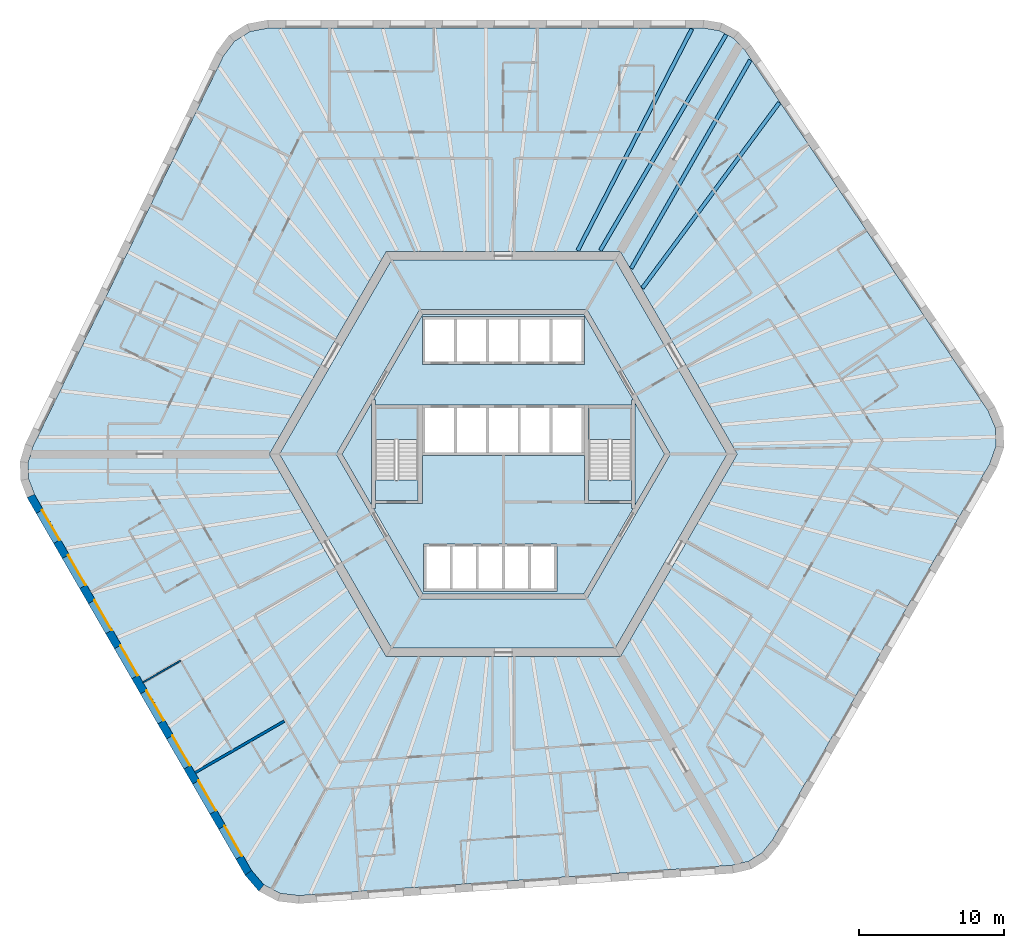
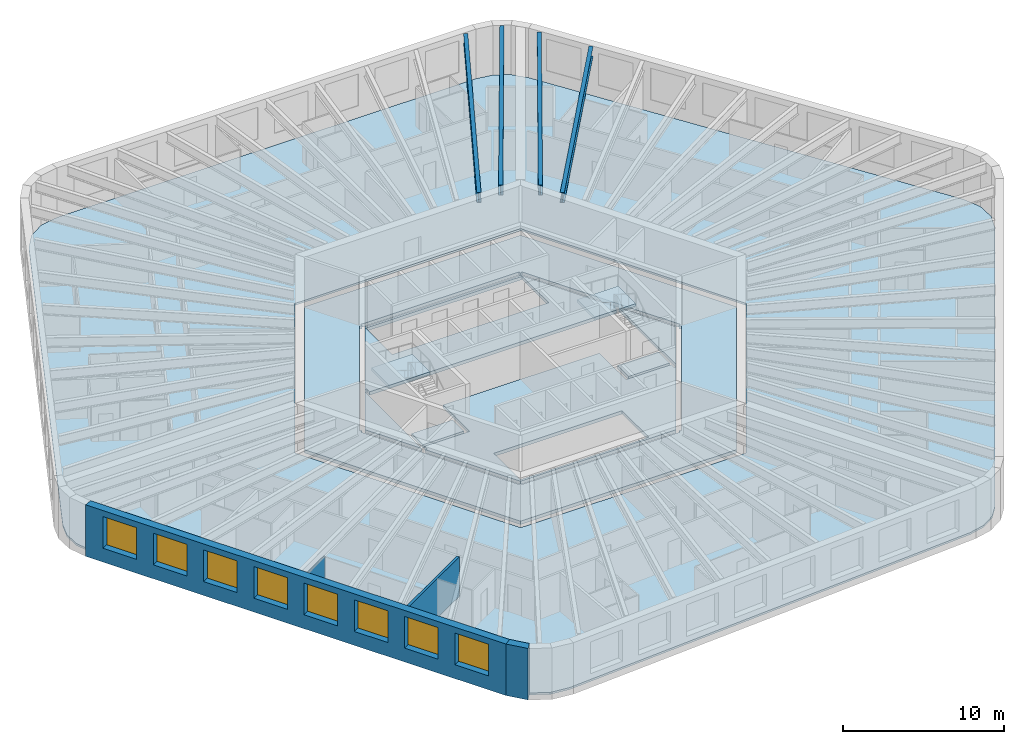
# One storey, part 2 of 12: 10 slabs, 8 windows, 4 beams, 4 walls, 8 openings, 2 elements without a shape of their own.
"""IFC4 building model written with IfcOpenShell, lengths in metres."""

from ifc_helpers import new_model, si_unit, direction, frame, frame_2d, origin, origin_2d, place, context, subcontext, project, spatial, polyline, rectangle, i_section, outline, extrude, material, layer, layer_set, material_profile, profile_set, type_object, element, fill, aggregate, save


model = new_model("IFC4")

# Units and contexts
model_context = context("Model", 3, precision=1e-05, world=origin(), true_north=direction((0.0, 1.0)))
body_context = subcontext(model_context, "Body", "Model", "MODEL_VIEW")
ifc_project = project(units=[si_unit("LENGTHUNIT", "METRE"), si_unit("AREAUNIT", "SQUARE_METRE"), si_unit("VOLUMEUNIT", "CUBIC_METRE"), si_unit("PLANEANGLEUNIT", "RADIAN"), si_unit("MASSUNIT", "GRAM", prefix="KILO")], contexts=[model_context])

# Site, building, storey
site_placement = place(None, origin())
site = spatial("IfcSite", under=ifc_project, at=site_placement, CompositionType="ELEMENT")
building_placement = place(site_placement, origin())
building = spatial("IfcBuilding", under=site, at=building_placement, Name="Tarnside Tower", CompositionType="ELEMENT")
storey_placement = place(building_placement, frame((0.0, 0.0, 96.0)))
storey = spatial("IfcBuildingStorey", under=building, at=storey_placement, Name="L21", CompositionType="ELEMENT", Elevation=96.0)

# Beams
ifc_material_1 = material(Name="Steel S355", Category="steel")
ifc_material_profile = material_profile(ifc_material_1, i_section(OverallWidth=0.2666015625, OverallDepth=0.76220703125, WebThickness=0.014404296875, FlangeThickness=0.021484375, FilletRadius=0.0166015625, at=origin_2d()), Name="UB 762x267x173")
ifc_profile_set = profile_set([ifc_material_profile], Name="Steel S355")
beam_type = type_object("IfcBeamType", Name="Floor beam UB 762x267x173", PredefinedType="BEAM", material=ifc_profile_set)
beam_1_placement = place(storey_placement, frame((13.0283203125, 29.37890625, 3.368896484375), z_axis=(-0.457973226459, -0.888965985765, 0.0), x_axis=(0.888965985765, -0.457973226459, 0.0)))
element("IfcBeam", 1, at=beam_1_placement, inside=storey, type_object=beam_type, Name="Floor beam F1.01", PredefinedType="BEAM", context=body_context, shape_type="SweptSolid", body=[
    extrude(i_section(OverallWidth=0.2666015625, OverallDepth=0.76220703125, WebThickness=0.014404296875, FlangeThickness=0.021484375, FilletRadius=0.0166015625, at=origin_2d()), origin(), (0.0, 0.0, 1.0), 17.219970703125),
])
beam_2_placement = place(storey_placement, frame((19.072021484375, 24.28857421875, 3.368896484375), z_axis=(-0.593986893499, -0.804474717037, 0.0), x_axis=(0.804474717037, -0.593986893499, 0.0)))
element("IfcBeam", 2, at=beam_2_placement, inside=storey, type_object=beam_type, Name="Floor beam F6.08", PredefinedType="BEAM", context=body_context, shape_type="SweptSolid", body=[
    extrude(i_section(OverallWidth=0.2666015625, OverallDepth=0.76220703125, WebThickness=0.014404296875, FlangeThickness=0.021484375, FilletRadius=0.0166015625, at=origin_2d()), origin(), (0.0, 0.0, 1.0), 15.934326171875),
])
beam_3_placement = place(storey_placement, frame((17.066162109375, 27.235107421875, 3.368896484375), z_axis=(-0.49622611841, -0.868193319145, 0.0), x_axis=(0.868193319145, -0.49622611841, 0.0)))
element("IfcBeam", 3, at=beam_3_placement, inside=storey, type_object=beam_type, Name="Floor beam F6.09", PredefinedType="BEAM", context=body_context, shape_type="SweptSolid", body=[
    extrude(i_section(OverallWidth=0.2666015625, OverallDepth=0.76220703125, WebThickness=0.014404296875, FlangeThickness=0.021484375, FilletRadius=0.0166015625, at=origin_2d()), origin(), (0.0, 0.0, 1.0), 16.586669921875),
])
beam_4_placement = place(storey_placement, frame((15.4013671875, 28.990478515625, 3.368896484375), z_axis=(-0.503858723096, -0.863786077198, 0.0), x_axis=(0.863786077198, -0.503858723096, 0.0)))
element("IfcBeam", 4, at=beam_4_placement, inside=storey, type_object=beam_type, Name="Floor beam C6", PredefinedType="BEAM", context=body_context, shape_type="SweptSolid", body=[
    extrude(i_section(OverallWidth=0.2666015625, OverallDepth=0.76220703125, WebThickness=0.014404296875, FlangeThickness=0.021484375, FilletRadius=0.0166015625, at=origin_2d()), origin(), (0.0, 0.0, 1.0), 17.2744140625),
])

# Slabs
ifc_material_2 = material(Name="Concrete C35/45", Category="concrete")
ifc_layer_1 = layer(ifc_material_2, 0.14990234375)
ifc_layer_set_1 = layer_set([ifc_layer_1], Name="Composite floor slab 150")
slab_type_1 = type_object("IfcSlabType", Name="Composite floor slab 150", PredefinedType="FLOOR", material=ifc_layer_set_1)
slab_1_placement = place(storey_placement, frame((0.0, 0.0, -0.14990234375)))
element("IfcSlab", 5, at=slab_1_placement, inside=storey, type_object=slab_type_1, Name="Floor slab L21", PredefinedType="FLOOR", context=body_context, shape_type="SweptSolid", body=[
    extrude(outline(polyline([(14.927490234375, 29.264892578125), (15.91455078125, 28.740234375), (16.697265625, 27.91064453125), (33.48583984375, 3.0205078125), (34.001220703125, 1.825439453125), (34.0458984375, 0.55078125), (33.614990234375, -0.67724609375), (18.603515625, -26.677978515625), (17.880615234375, -27.56005859375), (16.9326171875, -28.15234375), (15.82275390625, -28.41552734375), (-14.127197265625, -30.509765625), (-15.419921875, -30.358642578125), (-16.5458984375, -29.760009765625), (-17.39404296875, -28.772705078125), (-32.405517578125, -2.772216796875), (-32.80810546875, -1.704833984375), (-32.846923828125, -0.587890625), (-32.52001953125, 0.5048828125), (-19.358642578125, 27.4892578125), (-18.58154296875, 28.533203125), (-17.5, 29.208984375), (-16.220947265625, 29.449951171875), (13.802001953125, 29.449951171875), (14.927490234375, 29.264892578125)]), holes=[polyline([(-16.165771484375, 0.0), (-8.0830078125, -14.0), (8.0830078125, -14.0), (16.165771484375, 0.0), (8.0830078125, 14.0), (-8.0830078125, 14.0), (-16.165771484375, 0.0)])]), origin(), (0.0, 0.0, 1.0), 0.14990234375),
])
ifc_material_3 = material(Name="Concrete C40/50", Category="concrete")
ifc_layer_2 = layer(ifc_material_3, 0.25)
ifc_layer_set_2 = layer_set([ifc_layer_2], Name="Core slab C40/50")
slab_type_2 = type_object("IfcSlabType", Name="Core slab C40/50", PredefinedType="FLOOR", material=ifc_layer_set_2)
slab_2_placement = place(storey_placement, frame((0.0, 0.0, -0.25)))
element("IfcSlab", 6, at=slab_2_placement, inside=storey, type_object=slab_type_2, Name="L21 core floor slab 1", PredefinedType="FLOOR", context=body_context, shape_type="SweptSolid", body=[
    extrude(outline(polyline([(-15.472900390625, 0.0), (-7.736572265625, 13.39990234375), (7.736572265625, 13.39990234375), (15.472900390625, 0.0), (7.736572265625, -13.39990234375), (-7.736572265625, -13.39990234375), (-15.472900390625, 0.0)]), holes=[polyline([(5.823974609375, -9.91259765625), (11.49658203125, -0.08740234375), (11.344970703125, 0.0), (11.49658203125, 0.08740234375), (5.823974609375, 9.91259765625), (5.672607421875, 9.824951171875), (5.672607421875, 10.0), (-5.672607421875, 10.0), (-5.672607421875, 9.824951171875), (-5.823974609375, 9.91259765625), (-11.49658203125, 0.08740234375), (-11.344970703125, 0.0), (-11.49658203125, -0.08740234375), (-5.823974609375, -9.91259765625), (-5.672607421875, -9.824951171875), (-5.672607421875, -10.0), (5.672607421875, -10.0), (5.672607421875, -9.824951171875), (5.823974609375, -9.91259765625)])]), origin(), (0.0, 0.0, 1.0), 0.25),
])
slab_3_placement = place(storey_placement, frame((0.0, 0.0, -0.25)))
element("IfcSlab", 7, at=slab_3_placement, inside=storey, type_object=slab_type_2, Name="L21 core floor slab 2", PredefinedType="FLOOR", context=body_context, shape_type="SweptSolid", body=[
    extrude(outline(polyline([(-8.97509765625, 3.7548828125), (-5.5712890625, 9.64990234375), (5.5712890625, 9.64990234375), (8.97509765625, 3.7548828125), (8.85009765625, 3.7548828125), (8.85009765625, 3.39990234375), (5.89990234375, 3.39990234375), (5.60009765625, 3.39990234375), (5.60009765625, 3.39990234375), (-5.60009765625, 3.39990234375), (-5.89990234375, 3.39990234375), (-8.85009765625, 3.39990234375), (-8.85009765625, 3.7548828125), (-8.97509765625, 3.7548828125)]), holes=[polyline([(-5.60009765625, 6.199951171875), (5.60009765625, 6.199951171875), (5.60009765625, 6.39990234375), (5.60009765625, 9.300048828125), (5.60009765625, 9.5), (-5.60009765625, 9.5), (-5.60009765625, 9.300048828125), (-5.60009765625, 6.39990234375), (-5.60009765625, 6.199951171875)])]), origin(), (0.0, 0.0, 1.0), 0.25),
])
slab_4_placement = place(storey_placement, frame((0.0, 0.0, -0.25)))
element("IfcSlab", 8, at=slab_4_placement, inside=storey, type_object=slab_type_2, Name="L21 core floor slab 3", PredefinedType="FLOOR", context=body_context, shape_type="SweptSolid", body=[
    extrude(outline(polyline([(5.60009765625, -3.39990234375), (5.89990234375, -3.39990234375), (8.85009765625, -3.39990234375), (8.85009765625, -3.7548828125), (8.97509765625, -3.7548828125), (5.5712890625, -9.64990234375), (-5.5712890625, -9.64990234375), (-8.97509765625, -3.7548828125), (-8.85009765625, -3.7548828125), (-8.85009765625, -3.39990234375), (-5.89990234375, -3.39990234375), (-5.60009765625, -3.39990234375), (-5.60009765625, -0.10009765625), (5.60009765625, -0.10009765625), (5.60009765625, -3.39990234375)]), holes=[polyline([(-5.5, -9.300048828125), (-5.5, -9.5), (3.699951171875, -9.5), (3.699951171875, -9.300048828125), (3.699951171875, -6.39990234375), (3.699951171875, -6.199951171875), (-5.5, -6.199951171875), (-5.5, -6.39990234375), (-5.5, -9.300048828125)])]), origin(), (0.0, 0.0, 1.0), 0.25),
])
slab_5_placement = place(storey_placement, frame((0.0, 0.0, -0.25)))
element("IfcSlab", 9, at=slab_5_placement, inside=storey, type_object=slab_type_2, Name="L21 core floor slab 4", PredefinedType="FLOOR", context=body_context, shape_type="SweptSolid", body=[
    extrude(outline(polyline([(-11.142822265625, 0.0), (-9.10009765625, 3.538330078125), (-9.10009765625, -3.538330078125), (-11.142822265625, 0.0)])), origin(), (0.0, 0.0, 1.0), 0.25),
])
slab_6_placement = place(storey_placement, frame((0.0, 0.0, -0.25)))
element("IfcSlab", 10, at=slab_6_placement, inside=storey, type_object=slab_type_2, Name="L21 core floor slab 5", PredefinedType="FLOOR", context=body_context, shape_type="SweptSolid", body=[
    extrude(outline(polyline([(-8.85009765625, -1.800048828125), (-5.89990234375, -1.800048828125), (-5.89990234375, -3.199951171875), (-8.85009765625, -3.199951171875), (-8.85009765625, -1.800048828125)])), origin(), (0.0, 0.0, 1.0), 0.25),
])
slab_7_placement = place(storey_placement, frame((0.0, 0.0, -0.25)))
element("IfcSlab", 11, at=slab_7_placement, inside=storey, type_object=slab_type_2, Name="L21 core floor slab 6", PredefinedType="FLOOR", context=body_context, shape_type="SweptSolid", body=[
    extrude(outline(polyline([(5.89990234375, -3.199951171875), (5.89990234375, -1.800048828125), (8.85009765625, -1.800048828125), (8.85009765625, -3.199951171875), (5.89990234375, -3.199951171875)])), origin(), (0.0, 0.0, 1.0), 0.25),
])
slab_8_placement = place(storey_placement, frame((0.0, 0.0, -0.25)))
element("IfcSlab", 12, at=slab_8_placement, inside=storey, type_object=slab_type_2, Name="L21 core floor slab 7", PredefinedType="FLOOR", context=body_context, shape_type="SweptSolid", body=[
    extrude(outline(polyline([(9.10009765625, -3.538330078125), (9.10009765625, 3.538330078125), (11.142822265625, 0.0), (9.10009765625, -3.538330078125)])), origin(), (0.0, 0.0, 1.0), 0.25),
])

# Stair, slab
stair_type = type_object("IfcStairType", Name="Exit stair 1400 clear", PredefinedType="HALF_TURN_STAIR", material=ifc_material_3)
stair_1_placement = place(storey_placement, origin())
stair_1 = element("IfcStair", 13, at=stair_1_placement, inside=storey, type_object=stair_type, Name="L21 Exit stair 1", PredefinedType="HALF_TURN_STAIR")
ifc_layer_3 = layer(ifc_material_3, 0.199951171875)
ifc_layer_set_3 = layer_set([ifc_layer_3], Name="Stair landing 200 C40/50")
slab_type_3 = type_object("IfcSlabType", Name="Stair landing 200 C40/50", PredefinedType="LANDING", material=ifc_layer_set_3)
slab_9_placement = place(storey_placement, frame((0.0, 0.0, 1.75)))
slab_9 = element("IfcSlab", 14, at=slab_9_placement, type_object=slab_type_3, Name="ST1 landing 1", PredefinedType="LANDING", context=body_context, shape_type="SweptSolid", body=[
    extrude(outline(polyline([(8.85009765625, 1.0), (8.85009765625, 3.199951171875), (5.89990234375, 3.199951171875), (5.89990234375, 1.0), (8.85009765625, 1.0)])), origin(), (0.0, 0.0, 1.0), 0.199951171875),
])
aggregate(stair_1, [slab_9])

stair_2_placement = place(storey_placement, origin())
stair_2 = element("IfcStair", 15, at=stair_2_placement, inside=storey, type_object=stair_type, Name="L21 Exit stair 2", PredefinedType="HALF_TURN_STAIR")
slab_10_placement = place(storey_placement, frame((0.0, 0.0, 1.75)))
slab_10 = element("IfcSlab", 16, at=slab_10_placement, type_object=slab_type_3, Name="ST2 landing 1", PredefinedType="LANDING", context=body_context, shape_type="SweptSolid", body=[
    extrude(outline(polyline([(-5.89990234375, 1.0), (-5.89990234375, 3.199951171875), (-8.85009765625, 3.199951171875), (-8.85009765625, 1.0), (-5.89990234375, 1.0)])), origin(), (0.0, 0.0, 1.0), 0.199951171875),
])
aggregate(stair_2, [slab_10])

# Walls
ifc_material_4 = material(Name="Gypsum board partition on steel studs", Category="steel")
ifc_layer_4 = layer(ifc_material_4, 0.179931640625)
ifc_layer_set_4 = layer_set([ifc_layer_4], Name="Demising wall 180 EI 60")
wall_type_1 = type_object("IfcWallType", Name="Demising wall 180 EI 60", PredefinedType="PARTITIONING", material=ifc_layer_set_4)
wall_1_placement = place(storey_placement, frame((-21.298828125, -22.00927734375, 0.0), z_axis=(0.0, 0.0, 1.0), x_axis=(0.866024672353, 0.500001266874, 0.0)))
element("IfcWall", 17, at=wall_1_placement, inside=storey, type_object=wall_type_1, Name="Demising wall 06118", PredefinedType="PARTITIONING", context=body_context, shape_type="SweptSolid", body=[
    extrude(rectangle(XDim=7.125, YDim=0.179931640625, at=frame_2d((3.5625, 0.0))), origin(), (0.0, 0.0, 1.0), 2.98779296875),
])
ifc_layer_5 = layer(ifc_material_4, 0.10009765625)
ifc_layer_set_5 = layer_set([ifc_layer_5], Name="Partition 100")
wall_type_2 = type_object("IfcWallType", Name="Partition 100", PredefinedType="PARTITIONING", material=ifc_layer_set_5)
wall_2_placement = place(storey_placement, frame((-24.89892578125, -15.773681640625, 0.0), z_axis=(0.0, 0.0, 1.0), x_axis=(0.866066333729, 0.499929100554, 0.0)))
element("IfcWall", 18, at=wall_2_placement, inside=storey, type_object=wall_type_2, Name="Partition wall 06116", PredefinedType="PARTITIONING", context=body_context, shape_type="SweptSolid", body=[
    extrude(rectangle(XDim=3.0, YDim=0.10009765625, at=frame_2d((1.5, 0.0))), origin(), (0.0, 0.0, 1.0), 2.98779296875),
])

# Wall, openings, windows
ifc_material_5 = material(Name="Facing brick", Category="masonry")
ifc_layer_6 = layer(ifc_material_5, 0.10205078125)
ifc_material_6 = material(Name="Concrete C60/75 precast", Category="concrete")
ifc_layer_7 = layer(ifc_material_6, 0.347900390625)
ifc_material_7 = material(Name="Mineral wool insulation")
ifc_layer_8 = layer(ifc_material_7, 0.10009765625)
ifc_layer_set_6 = layer_set([ifc_layer_6, ifc_layer_7, ifc_layer_8], Name="Tube wall 550 brick faced")
wall_type_3 = type_object("IfcWallType", Name="Tube wall 550 brick faced", PredefinedType="SOLIDWALL", material=ifc_layer_set_6)
wall_3_placement = place(storey_placement, frame((-32.65478515625, -2.89013671875, -0.14990234375), z_axis=(0.0, 0.0, 1.0), x_axis=(0.499997711317, -0.866026725152, 0.0)))
wall_3 = element("IfcWall", 19, at=wall_3_placement, inside=storey, type_object=wall_type_3, Name="Tube wall L21 F3 flush 08", PredefinedType="SOLIDWALL", context=body_context, shape_type="SweptSolid", body=[
    extrude(outline(polyline([(-0.0224609375, -0.27490234375), (30.0966796875, -0.27490234375), (30.04541015625, 0.27490234375), (0.0224609375, 0.27490234375), (-0.0224609375, -0.27490234375)])), origin(), (0.0, 0.0, 1.0), 3.89990234375),
])
opening_1_placement = place(wall_3_placement, frame((1.235595703125, 0.0, 1.050048828125)))
opening_1 = element("IfcOpeningElement", 20, at=opening_1_placement, cuts=wall_3, Name="Opening WH", PredefinedType="OPENING", context=body_context, shape_type="SweptSolid", body=[
    extrude(rectangle(XDim=2.39990234375, YDim=2.39990234375, at=frame_2d((1.199951171875, 1.199951171875))), frame((0.0, 0.28515625, 0.0), z_axis=(0.0, -1.0, 0.0), x_axis=(1.0, 0.0, 0.0)), (0.0, 0.0, 1.0), 0.570068359375),
])
opening_2_placement = place(wall_3_placement, frame((4.83544921875, 0.0, 1.050048828125)))
opening_2 = element("IfcOpeningElement", 21, at=opening_2_placement, cuts=wall_3, Name="Opening WH", PredefinedType="OPENING", context=body_context, shape_type="SweptSolid", body=[
    extrude(rectangle(XDim=2.39990234375, YDim=2.39990234375, at=frame_2d((1.199951171875, 1.199951171875))), frame((0.0, 0.28515625, 0.0), z_axis=(0.0, -1.0, 0.0), x_axis=(1.0, 0.0, 0.0)), (0.0, 0.0, 1.0), 0.570068359375),
])
opening_3_placement = place(wall_3_placement, frame((8.435546875, 0.0, 1.050048828125)))
opening_3 = element("IfcOpeningElement", 22, at=opening_3_placement, cuts=wall_3, Name="Opening WH", PredefinedType="OPENING", context=body_context, shape_type="SweptSolid", body=[
    extrude(rectangle(XDim=2.39990234375, YDim=2.39990234375, at=frame_2d((1.199951171875, 1.199951171875))), frame((0.0, 0.28515625, 0.0), z_axis=(0.0, -1.0, 0.0), x_axis=(1.0, 0.0, 0.0)), (0.0, 0.0, 1.0), 0.570068359375),
])
opening_4_placement = place(wall_3_placement, frame((12.035400390625, 0.0, 1.050048828125)))
opening_4 = element("IfcOpeningElement", 23, at=opening_4_placement, cuts=wall_3, Name="Opening WH", PredefinedType="OPENING", context=body_context, shape_type="SweptSolid", body=[
    extrude(rectangle(XDim=2.39990234375, YDim=2.39990234375, at=frame_2d((1.199951171875, 1.199951171875))), frame((0.0, 0.28515625, 0.0), z_axis=(0.0, -1.0, 0.0), x_axis=(1.0, 0.0, 0.0)), (0.0, 0.0, 1.0), 0.570068359375),
])
opening_5_placement = place(wall_3_placement, frame((15.635498046875, 0.0, 1.050048828125)))
opening_5 = element("IfcOpeningElement", 24, at=opening_5_placement, cuts=wall_3, Name="Opening WH", PredefinedType="OPENING", context=body_context, shape_type="SweptSolid", body=[
    extrude(rectangle(XDim=2.39990234375, YDim=2.39990234375, at=frame_2d((1.199951171875, 1.199951171875))), frame((0.0, 0.28515625, 0.0), z_axis=(0.0, -1.0, 0.0), x_axis=(1.0, 0.0, 0.0)), (0.0, 0.0, 1.0), 0.570068359375),
])
opening_6_placement = place(wall_3_placement, frame((19.235595703125, 0.0, 1.050048828125)))
opening_6 = element("IfcOpeningElement", 25, at=opening_6_placement, cuts=wall_3, Name="Opening WH", PredefinedType="OPENING", context=body_context, shape_type="SweptSolid", body=[
    extrude(rectangle(XDim=2.39990234375, YDim=2.39990234375, at=frame_2d((1.199951171875, 1.199951171875))), frame((0.0, 0.28515625, 0.0), z_axis=(0.0, -1.0, 0.0), x_axis=(1.0, 0.0, 0.0)), (0.0, 0.0, 1.0), 0.570068359375),
])
opening_7_placement = place(wall_3_placement, frame((22.83544921875, 0.0, 1.050048828125)))
opening_7 = element("IfcOpeningElement", 26, at=opening_7_placement, cuts=wall_3, Name="Opening WH", PredefinedType="OPENING", context=body_context, shape_type="SweptSolid", body=[
    extrude(rectangle(XDim=2.39990234375, YDim=2.39990234375, at=frame_2d((1.199951171875, 1.199951171875))), frame((0.0, 0.28515625, 0.0), z_axis=(0.0, -1.0, 0.0), x_axis=(1.0, 0.0, 0.0)), (0.0, 0.0, 1.0), 0.570068359375),
])
opening_8_placement = place(wall_3_placement, frame((26.435546875, 0.0, 1.050048828125)))
opening_8 = element("IfcOpeningElement", 27, at=opening_8_placement, cuts=wall_3, Name="Opening WH", PredefinedType="OPENING", context=body_context, shape_type="SweptSolid", body=[
    extrude(rectangle(XDim=2.39990234375, YDim=2.39990234375, at=frame_2d((1.199951171875, 1.199951171875))), frame((0.0, 0.28515625, 0.0), z_axis=(0.0, -1.0, 0.0), x_axis=(1.0, 0.0, 0.0)), (0.0, 0.0, 1.0), 0.570068359375),
])
ifc_material_8 = material(Name="Aluminium-framed double glazing", Category="aluminium")
window_type = type_object("IfcWindowType", Name="Hotel window 2400 x 2400", PartitioningType="DOUBLE_PANEL_VERTICAL", PredefinedType="WINDOW", material=ifc_material_8)
window_1_placement = place(opening_1_placement, frame((0.0, 0.205078125, 0.0)))
window_1 = element("IfcWindow", 28, at=window_1_placement, inside=storey, type_object=window_type, Name="E.WN.L21.F3.00", OverallHeight=2.39990234375, OverallWidth=2.39990234375, PartitioningType="DOUBLE_PANEL_VERTICAL", PredefinedType="WINDOW", context=body_context, shape_type="SweptSolid", body=[
    extrude(rectangle(XDim=2.39990234375, YDim=2.39990234375, at=frame_2d((1.199951171875, 1.199951171875))), frame((0.0, 0.030029296875, 0.0), z_axis=(0.0, -1.0, 0.0), x_axis=(1.0, 0.0, 0.0)), (0.0, 0.0, 1.0), 0.06005859375),
])
fill(opening_1, window_1)
window_2_placement = place(opening_2_placement, frame((0.0, 0.205078125, 0.0)))
window_2 = element("IfcWindow", 29, at=window_2_placement, inside=storey, type_object=window_type, Name="E.WN.L21.F3.01", OverallHeight=2.39990234375, OverallWidth=2.39990234375, PartitioningType="DOUBLE_PANEL_VERTICAL", PredefinedType="WINDOW", context=body_context, shape_type="SweptSolid", body=[
    extrude(rectangle(XDim=2.39990234375, YDim=2.39990234375, at=frame_2d((1.199951171875, 1.199951171875))), frame((0.0, 0.030029296875, 0.0), z_axis=(0.0, -1.0, 0.0), x_axis=(1.0, 0.0, 0.0)), (0.0, 0.0, 1.0), 0.06005859375),
])
fill(opening_2, window_2)
window_3_placement = place(opening_3_placement, frame((0.0, 0.205078125, 0.0)))
window_3 = element("IfcWindow", 30, at=window_3_placement, inside=storey, type_object=window_type, Name="E.WN.L21.F3.02", OverallHeight=2.39990234375, OverallWidth=2.39990234375, PartitioningType="DOUBLE_PANEL_VERTICAL", PredefinedType="WINDOW", context=body_context, shape_type="SweptSolid", body=[
    extrude(rectangle(XDim=2.39990234375, YDim=2.39990234375, at=frame_2d((1.199951171875, 1.199951171875))), frame((0.0, 0.030029296875, 0.0), z_axis=(0.0, -1.0, 0.0), x_axis=(1.0, 0.0, 0.0)), (0.0, 0.0, 1.0), 0.06005859375),
])
fill(opening_3, window_3)
window_4_placement = place(opening_4_placement, frame((0.0, 0.205078125, 0.0)))
window_4 = element("IfcWindow", 31, at=window_4_placement, inside=storey, type_object=window_type, Name="E.WN.L21.F3.03", OverallHeight=2.39990234375, OverallWidth=2.39990234375, PartitioningType="DOUBLE_PANEL_VERTICAL", PredefinedType="WINDOW", context=body_context, shape_type="SweptSolid", body=[
    extrude(rectangle(XDim=2.39990234375, YDim=2.39990234375, at=frame_2d((1.199951171875, 1.199951171875))), frame((0.0, 0.030029296875, 0.0), z_axis=(0.0, -1.0, 0.0), x_axis=(1.0, 0.0, 0.0)), (0.0, 0.0, 1.0), 0.06005859375),
])
fill(opening_4, window_4)
window_5_placement = place(opening_5_placement, frame((0.0, 0.205078125, 0.0)))
window_5 = element("IfcWindow", 32, at=window_5_placement, inside=storey, type_object=window_type, Name="E.WN.L21.F3.04", OverallHeight=2.39990234375, OverallWidth=2.39990234375, PartitioningType="DOUBLE_PANEL_VERTICAL", PredefinedType="WINDOW", context=body_context, shape_type="SweptSolid", body=[
    extrude(rectangle(XDim=2.39990234375, YDim=2.39990234375, at=frame_2d((1.199951171875, 1.199951171875))), frame((0.0, 0.030029296875, 0.0), z_axis=(0.0, -1.0, 0.0), x_axis=(1.0, 0.0, 0.0)), (0.0, 0.0, 1.0), 0.06005859375),
])
fill(opening_5, window_5)
window_6_placement = place(opening_6_placement, frame((0.0, 0.205078125, 0.0)))
window_6 = element("IfcWindow", 33, at=window_6_placement, inside=storey, type_object=window_type, Name="E.WN.L21.F3.05", OverallHeight=2.39990234375, OverallWidth=2.39990234375, PartitioningType="DOUBLE_PANEL_VERTICAL", PredefinedType="WINDOW", context=body_context, shape_type="SweptSolid", body=[
    extrude(rectangle(XDim=2.39990234375, YDim=2.39990234375, at=frame_2d((1.199951171875, 1.199951171875))), frame((0.0, 0.030029296875, 0.0), z_axis=(0.0, -1.0, 0.0), x_axis=(1.0, 0.0, 0.0)), (0.0, 0.0, 1.0), 0.06005859375),
])
fill(opening_6, window_6)
window_7_placement = place(opening_7_placement, frame((0.0, 0.205078125, 0.0)))
window_7 = element("IfcWindow", 34, at=window_7_placement, inside=storey, type_object=window_type, Name="E.WN.L21.F3.06", OverallHeight=2.39990234375, OverallWidth=2.39990234375, PartitioningType="DOUBLE_PANEL_VERTICAL", PredefinedType="WINDOW", context=body_context, shape_type="SweptSolid", body=[
    extrude(rectangle(XDim=2.39990234375, YDim=2.39990234375, at=frame_2d((1.199951171875, 1.199951171875))), frame((0.0, 0.030029296875, 0.0), z_axis=(0.0, -1.0, 0.0), x_axis=(1.0, 0.0, 0.0)), (0.0, 0.0, 1.0), 0.06005859375),
])
fill(opening_7, window_7)
window_8_placement = place(opening_8_placement, frame((0.0, 0.205078125, 0.0)))
window_8 = element("IfcWindow", 35, at=window_8_placement, inside=storey, type_object=window_type, Name="E.WN.L21.F3.07", OverallHeight=2.39990234375, OverallWidth=2.39990234375, PartitioningType="DOUBLE_PANEL_VERTICAL", PredefinedType="WINDOW", context=body_context, shape_type="SweptSolid", body=[
    extrude(rectangle(XDim=2.39990234375, YDim=2.39990234375, at=frame_2d((1.199951171875, 1.199951171875))), frame((0.0, 0.030029296875, 0.0), z_axis=(0.0, -1.0, 0.0), x_axis=(1.0, 0.0, 0.0)), (0.0, 0.0, 1.0), 0.06005859375),
])
fill(opening_8, window_8)

# Wall
wall_4_placement = place(storey_placement, frame((-17.619384765625, -28.932373046875, -0.14990234375), z_axis=(0.0, 0.0, 1.0), x_axis=(0.651621950847, -0.758543890078, 0.0)))
element("IfcWall", 36, at=wall_4_placement, inside=storey, type_object=wall_type_3, Name="Tube wall L21 F3 chord 09", PredefinedType="SOLIDWALL", context=body_context, shape_type="SweptSolid", body=[
    extrude(outline(polyline([(-0.025634765625, -0.27490234375), (1.430908203125, -0.27490234375), (1.327392578125, 0.27490234375), (0.025634765625, 0.27490234375), (-0.025634765625, -0.27490234375)])), origin(), (0.0, 0.0, 1.0), 3.89990234375),
])

save(model, "model.ifc")
